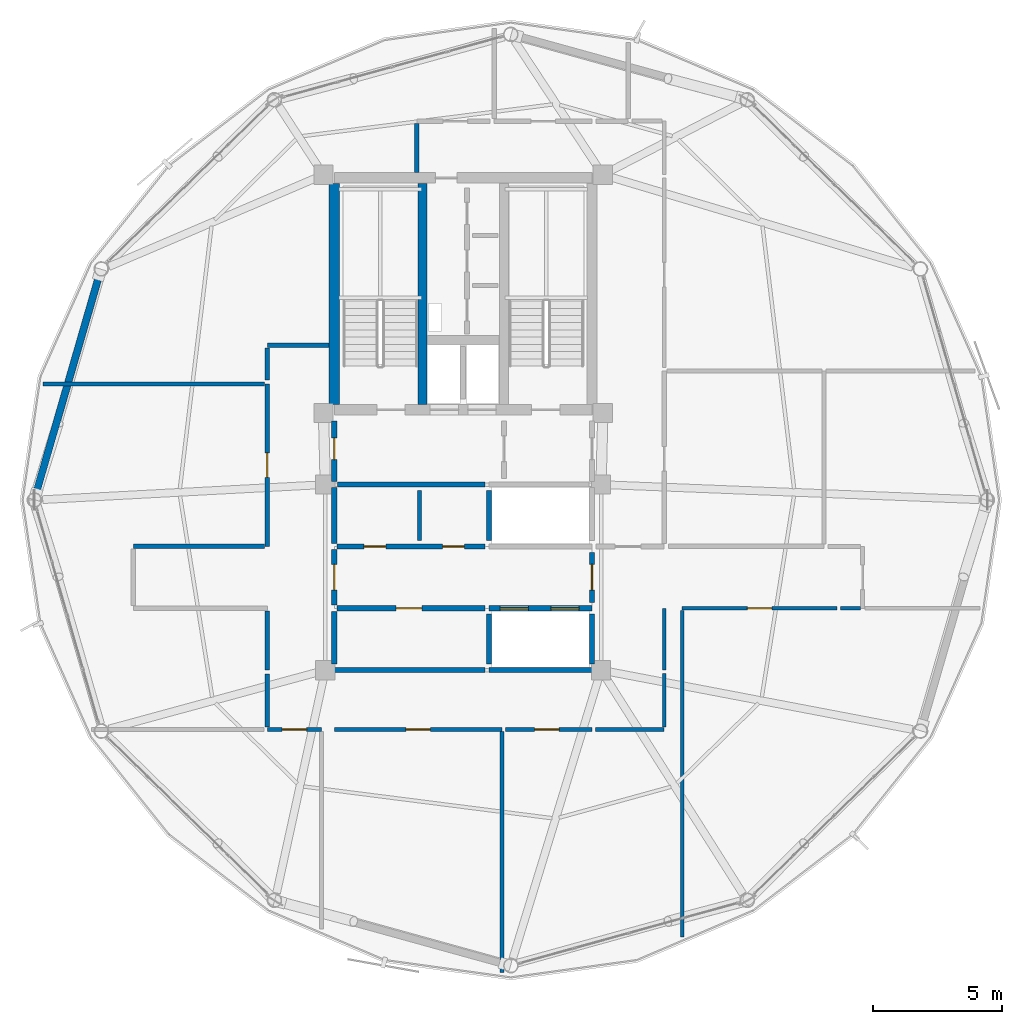
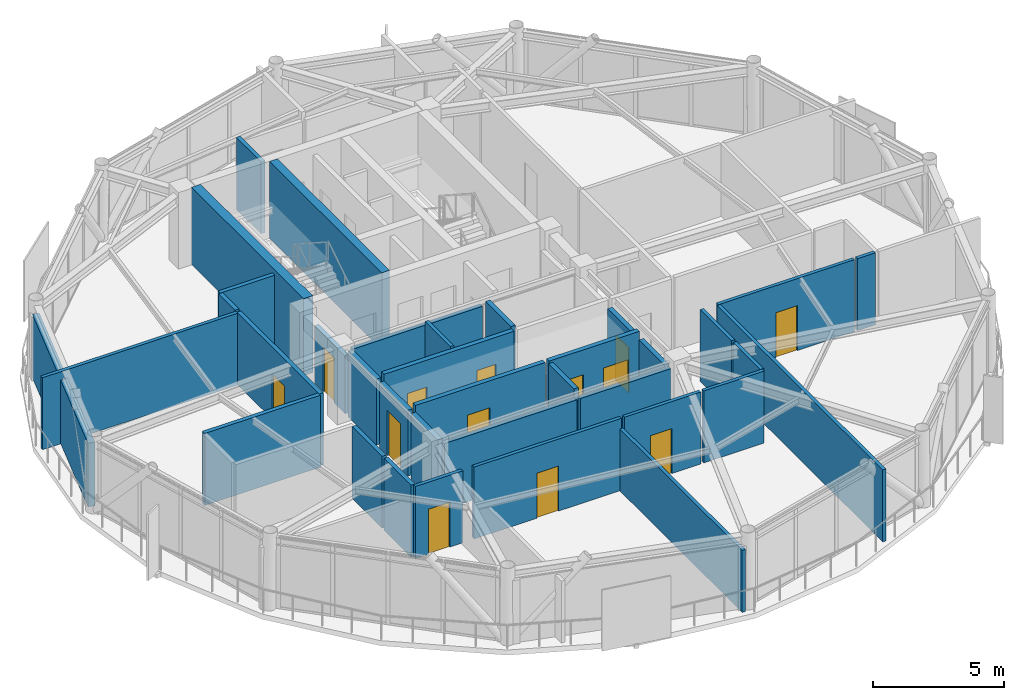
# One storey, part 22 of 27: 36 walls, 13 doors, 13 openings.
"""IFC4 building model written with IfcOpenShell, lengths in metres."""

from ifc_helpers import new_model, si_unit, direction, frame, frame_2d, origin, place, context, subcontext, project, spatial, rectangle, extrude, material, layer, layer_set, type_object, element, fill, save


model = new_model("IFC4")

# Units and contexts
model_context = context("Model", 3, precision=1e-05, world=origin(), true_north=direction((0.0, 1.0)))
body_context = subcontext(model_context, "Body", "Model", "MODEL_VIEW")
ifc_project = project(units=[si_unit("LENGTHUNIT", "METRE"), si_unit("AREAUNIT", "SQUARE_METRE"), si_unit("VOLUMEUNIT", "CUBIC_METRE"), si_unit("PLANEANGLEUNIT", "RADIAN"), si_unit("MASSUNIT", "GRAM", prefix="KILO")], contexts=[model_context])

# Site, building, storey
site_placement = place(None, origin())
site = spatial("IfcSite", under=ifc_project, at=site_placement, CompositionType="ELEMENT")
building_placement = place(site_placement, origin())
building = spatial("IfcBuilding", under=site, at=building_placement, Name="Varnakorn Sky Granary", CompositionType="ELEMENT")
storey_placement = place(building_placement, frame((0.0, 0.0, 249.0)))
storey = spatial("IfcBuildingStorey", under=building, at=storey_placement, Name="L63", CompositionType="ELEMENT", Elevation=249.0)

# Walls
ifc_material_1 = material(Name="Concrete C50/60", Category="concrete")
ifc_layer_1 = layer(ifc_material_1, 0.35009765625, Name="Concrete C50/60")
ifc_layer_set_1 = layer_set([ifc_layer_1], Name="Concrete C50/60")
wall_type_1 = type_object("IfcWallType", Name="WT-CW-INT-350", PredefinedType="SHEAR", material=ifc_layer_set_1)
wall_1_placement = place(storey_placement, frame((1.419921875, 3.7099609375, 0.0), z_axis=(0.0, 0.0, 1.0), x_axis=(0.0, 1.0, 0.0)))
element("IfcWall", 1, at=wall_1_placement, inside=storey, type_object=wall_type_1, Name="Stair ST-1 Core Wall L63", PredefinedType="SHEAR", context=body_context, shape_type="SweptSolid", body=[
    extrude(rectangle(XDim=8.580078125, YDim=0.35009765625, at=frame_2d((4.2900390625, 0.0))), origin(), (0.0, 0.0, 1.0), 3.592041015625),
])
ifc_layer_2 = layer(ifc_material_1, 0.39990234375, Name="Concrete C50/60")
ifc_layer_set_2 = layer_set([ifc_layer_2], Name="Concrete C50/60")
wall_type_2 = type_object("IfcWallType", Name="WT-CW-SHEAR-400", PredefinedType="SHEAR", material=ifc_layer_set_2)
wall_2_placement = place(storey_placement, frame((-2.0, 3.7099609375, 0.0), z_axis=(0.0, 0.0, 1.0), x_axis=(0.0, 1.0, 0.0)))
element("IfcWall", 2, at=wall_2_placement, inside=storey, type_object=wall_type_2, Name="Core West Shear Wall L63", PredefinedType="SHEAR", context=body_context, shape_type="SweptSolid", body=[
    extrude(rectangle(XDim=8.580078125, YDim=0.39990234375, at=frame_2d((4.2900390625, 0.0))), origin(), (0.0, 0.0, 1.0), 3.592041015625),
])
ifc_material_2 = material(Name="Precast concrete C40/50", Category="concrete")
ifc_layer_3 = layer(ifc_material_2, 0.280029296875, Name="Precast concrete C40/50")
ifc_layer_set_3 = layer_set([ifc_layer_3], Name="Precast concrete C40/50")
wall_type_3 = type_object("IfcWallType", Name="WT-EW-CRN-280", PredefinedType="SOLIDWALL", material=ifc_layer_set_3)
wall_3_placement = place(storey_placement, frame((-13.579833984375, 0.225341796875, 0.0), z_axis=(0.0, 0.0, 1.0), x_axis=(0.277904986199, 0.960608566819, 0.0)))
element("IfcWall", 3, at=wall_3_placement, inside=storey, type_object=wall_type_3, Name="Agritech Insulated Precast Facade Wall L63-P06", PredefinedType="SOLIDWALL", context=body_context, shape_type="SweptSolid", body=[
    extrude(rectangle(XDim=8.86767578125, YDim=0.280029296875, at=frame_2d((4.433837890625, 0.0))), origin(), (0.0, 0.0, 1.0), 2.969970703125),
])

# Wall, opening, door
ifc_material_3 = material(Name="Autoclaved Aerated Concrete Blockwork", Category="masonry")
ifc_layer_4 = layer(ifc_material_3, 0.199951171875, Name="Autoclaved Aerated Concrete Blockwork")
ifc_layer_set_4 = layer_set([ifc_layer_4], Name="Autoclaved Aerated Concrete Blockwork")
wall_type_4 = type_object("IfcWallType", Name="WT-FIRE-200", PredefinedType="MOVABLE", material=ifc_layer_set_4)
wall_4_placement = place(storey_placement, frame((-2.0, 0.719970703125, 0.0), z_axis=(0.0, 0.0, 1.0), x_axis=(0.0, 1.0, 0.0)))
wall_4 = element("IfcWall", 4, at=wall_4_placement, inside=storey, type_object=wall_type_4, Name="Interior Partition Wall L63-012", PredefinedType="MOVABLE", context=body_context, shape_type="SweptSolid", body=[
    extrude(rectangle(XDim=2.35009765625, YDim=0.199951171875, at=frame_2d((1.175048828125, 0.0))), origin(), (0.0, 0.0, 1.0), 2.69189453125),
])
opening_1_placement = place(wall_4_placement, frame((0.844970703125, 0.0, 0.0)))
opening_1 = element("IfcOpeningElement", 5, at=opening_1_placement, cuts=wall_4, Name="Opening FD-60N", PredefinedType="OPENING", context=body_context, shape_type="SweptSolid", body=[
    extrude(rectangle(XDim=0.85009765625, YDim=2.10009765625, at=frame_2d((0.425048828125, 1.050048828125))), frame((0.0, 0.10986328125, 0.0), z_axis=(0.0, -1.0, 0.0), x_axis=(1.0, 0.0, 0.0)), (0.0, 0.0, 1.0), 0.219970703125),
])
ifc_material_4 = material(Name="Acoustic Timber Fire Leaf", Category="wood")
door_type_1 = type_object("IfcDoorType", Name="DR-FD60-850", OperationType="NOTDEFINED", PredefinedType="DOOR", material=ifc_material_4)
door_1_placement = place(opening_1_placement, origin())
door_1 = element("IfcDoor", 6, at=door_1_placement, inside=storey, type_object=door_type_1, Name="Interior Door L63-012-1", OperationType="SINGLE_SWING_RIGHT", OverallHeight=2.10009765625, OverallWidth=0.85009765625, PredefinedType="DOOR", context=body_context, shape_type="SweptSolid", body=[
    extrude(rectangle(XDim=0.85009765625, YDim=2.10009765625, at=frame_2d((0.425048828125, 1.050048828125))), frame((0.0, 0.02490234375, 0.0), z_axis=(0.0, -1.0, 0.0), x_axis=(1.0, 0.0, 0.0)), (0.0, 0.0, 1.0), 0.050048828125),
])
fill(opening_1, door_1)

wall_5_placement = place(storey_placement, frame((-2.0, -4.080078125, 0.0), z_axis=(0.0, 0.0, 1.0), x_axis=(0.0, 1.0, 0.0)))
wall_5 = element("IfcWall", 7, at=wall_5_placement, inside=storey, type_object=wall_type_4, Name="Interior Partition Wall L63-014", PredefinedType="MOVABLE", context=body_context, shape_type="SweptSolid", body=[
    extrude(rectangle(XDim=2.16015625, YDim=0.199951171875, at=frame_2d((1.080078125, 0.0))), origin(), (0.0, 0.0, 1.0), 3.072021484375),
])
opening_2_placement = place(wall_5_placement, frame((0.580078125, 0.0, 0.0)))
opening_2 = element("IfcOpeningElement", 8, at=opening_2_placement, cuts=wall_5, Name="Opening FD-60", PredefinedType="OPENING", context=body_context, shape_type="SweptSolid", body=[
    extrude(rectangle(XDim=1.0, YDim=2.10009765625, at=frame_2d((0.5, 1.050048828125))), frame((0.0, 0.10986328125, 0.0), z_axis=(0.0, -1.0, 0.0), x_axis=(1.0, 0.0, 0.0)), (0.0, 0.0, 1.0), 0.219970703125),
])
door_type_2 = type_object("IfcDoorType", Name="DR-FD60-1000", OperationType="NOTDEFINED", PredefinedType="DOOR", material=ifc_material_4)
door_2_placement = place(opening_2_placement, origin())
door_2 = element("IfcDoor", 9, at=door_2_placement, inside=storey, type_object=door_type_2, Name="Interior Door L63-014-1", OperationType="SINGLE_SWING_RIGHT", OverallHeight=2.10009765625, OverallWidth=1.0, PredefinedType="DOOR", context=body_context, shape_type="SweptSolid", body=[
    extrude(rectangle(XDim=1.0, YDim=2.10009765625, at=frame_2d((0.5, 1.050048828125))), frame((0.0, 0.02490234375, 0.0), z_axis=(0.0, -1.0, 0.0), x_axis=(1.0, 0.0, 0.0)), (0.0, 0.0, 1.0), 0.050048828125),
])
fill(opening_2, door_2)

wall_6_placement = place(storey_placement, frame((8.0, -3.969970703125, 0.0), z_axis=(0.0, 0.0, 1.0), x_axis=(0.0, 1.0, 0.0)))
wall_6 = element("IfcWall", 10, at=wall_6_placement, inside=storey, type_object=wall_type_4, Name="Interior Partition Wall L63-015", PredefinedType="MOVABLE", context=body_context, shape_type="SweptSolid", body=[
    extrude(rectangle(XDim=1.93994140625, YDim=0.199951171875, at=frame_2d((0.969970703125, 0.0))), origin(), (0.0, 0.0, 1.0), 3.072021484375),
])
opening_3_placement = place(wall_6_placement, frame((0.469970703125, 0.0, 0.0)))
opening_3 = element("IfcOpeningElement", 11, at=opening_3_placement, cuts=wall_6, Name="Opening FD-60", PredefinedType="OPENING", context=body_context, shape_type="SweptSolid", body=[
    extrude(rectangle(XDim=1.0, YDim=2.10009765625, at=frame_2d((0.5, 1.050048828125))), frame((0.0, 0.10986328125, 0.0), z_axis=(0.0, -1.0, 0.0), x_axis=(1.0, 0.0, 0.0)), (0.0, 0.0, 1.0), 0.219970703125),
])
door_3_placement = place(opening_3_placement, origin())
door_3 = element("IfcDoor", 12, at=door_3_placement, inside=storey, type_object=door_type_2, Name="Interior Door L63-015-1", OperationType="SINGLE_SWING_LEFT", OverallHeight=2.10009765625, OverallWidth=1.0, PredefinedType="DOOR", context=body_context, shape_type="SweptSolid", body=[
    extrude(rectangle(XDim=1.0, YDim=2.10009765625, at=frame_2d((0.5, 1.050048828125))), frame((0.0, 0.02490234375, 0.0), z_axis=(0.0, -1.0, 0.0), x_axis=(1.0, 0.0, 0.0)), (0.0, 0.0, 1.0), 0.050048828125),
])
fill(opening_3, door_3)

# Wall, openings, doors
wall_7_placement = place(storey_placement, frame((-1.889892578125, -1.800048828125, 0.0), z_axis=(0.0, 0.0, 1.0), x_axis=(1.0, 0.0, 0.0)))
wall_7 = element("IfcWall", 13, at=wall_7_placement, inside=storey, type_object=wall_type_4, Name="Interior Partition Wall L63-016", PredefinedType="MOVABLE", context=body_context, shape_type="SweptSolid", body=[
    extrude(rectangle(XDim=5.72998046875, YDim=0.199951171875, at=frame_2d((2.864990234375, 0.0))), origin(), (0.0, 0.0, 1.0), 3.360107421875),
])
opening_4_placement = place(wall_7_placement, frame((1.0400390625, 0.0, 0.0)))
opening_4 = element("IfcOpeningElement", 14, at=opening_4_placement, cuts=wall_7, Name="Opening FD-60N", PredefinedType="OPENING", context=body_context, shape_type="SweptSolid", body=[
    extrude(rectangle(XDim=0.85009765625, YDim=2.10009765625, at=frame_2d((0.425048828125, 1.050048828125))), frame((0.0, 0.10986328125, 0.0), z_axis=(0.0, -1.0, 0.0), x_axis=(1.0, 0.0, 0.0)), (0.0, 0.0, 1.0), 0.219970703125),
])
opening_5_placement = place(wall_7_placement, frame((4.090087890625, 0.0, 0.0)))
opening_5 = element("IfcOpeningElement", 15, at=opening_5_placement, cuts=wall_7, Name="Opening FD-60N", PredefinedType="OPENING", context=body_context, shape_type="SweptSolid", body=[
    extrude(rectangle(XDim=0.85009765625, YDim=2.10009765625, at=frame_2d((0.425048828125, 1.050048828125))), frame((0.0, 0.10986328125, 0.0), z_axis=(0.0, -1.0, 0.0), x_axis=(1.0, 0.0, 0.0)), (0.0, 0.0, 1.0), 0.219970703125),
])
door_4_placement = place(opening_4_placement, origin())
door_4 = element("IfcDoor", 16, at=door_4_placement, inside=storey, type_object=door_type_1, Name="Interior Door L63-016-1", OperationType="SINGLE_SWING_RIGHT", OverallHeight=2.10009765625, OverallWidth=0.85009765625, PredefinedType="DOOR", context=body_context, shape_type="SweptSolid", body=[
    extrude(rectangle(XDim=0.85009765625, YDim=2.10009765625, at=frame_2d((0.425048828125, 1.050048828125))), frame((0.0, 0.02490234375, 0.0), z_axis=(0.0, -1.0, 0.0), x_axis=(1.0, 0.0, 0.0)), (0.0, 0.0, 1.0), 0.050048828125),
])
fill(opening_4, door_4)
door_5_placement = place(opening_5_placement, origin())
door_5 = element("IfcDoor", 17, at=door_5_placement, inside=storey, type_object=door_type_1, Name="Interior Door L63-016-2", OperationType="SINGLE_SWING_LEFT", OverallHeight=2.10009765625, OverallWidth=0.85009765625, PredefinedType="DOOR", context=body_context, shape_type="SweptSolid", body=[
    extrude(rectangle(XDim=0.85009765625, YDim=2.10009765625, at=frame_2d((0.425048828125, 1.050048828125))), frame((0.0, 0.02490234375, 0.0), z_axis=(0.0, -1.0, 0.0), x_axis=(1.0, 0.0, 0.0)), (0.0, 0.0, 1.0), 0.050048828125),
])
fill(opening_5, door_5)

# Wall, opening, door
wall_8_placement = place(storey_placement, frame((-1.889892578125, -4.199951171875, 0.0), z_axis=(0.0, 0.0, 1.0), x_axis=(1.0, 0.0, 0.0)))
wall_8 = element("IfcWall", 18, at=wall_8_placement, inside=storey, type_object=wall_type_4, Name="Interior Partition Wall L63-017", PredefinedType="MOVABLE", context=body_context, shape_type="SweptSolid", body=[
    extrude(rectangle(XDim=5.72998046875, YDim=0.199951171875, at=frame_2d((2.864990234375, 0.0))), origin(), (0.0, 0.0, 1.0), 3.360107421875),
])
opening_6_placement = place(wall_8_placement, frame((2.2900390625, 0.0, 0.0)))
opening_6 = element("IfcOpeningElement", 19, at=opening_6_placement, cuts=wall_8, Name="Opening FD-60", PredefinedType="OPENING", context=body_context, shape_type="SweptSolid", body=[
    extrude(rectangle(XDim=1.0, YDim=2.10009765625, at=frame_2d((0.5, 1.050048828125))), frame((0.0, 0.10986328125, 0.0), z_axis=(0.0, -1.0, 0.0), x_axis=(1.0, 0.0, 0.0)), (0.0, 0.0, 1.0), 0.219970703125),
])
door_6_placement = place(opening_6_placement, origin())
door_6 = element("IfcDoor", 20, at=door_6_placement, inside=storey, type_object=door_type_2, Name="Interior Door L63-017-1", OperationType="SINGLE_SWING_RIGHT", OverallHeight=2.10009765625, OverallWidth=1.0, PredefinedType="DOOR", context=body_context, shape_type="SweptSolid", body=[
    extrude(rectangle(XDim=1.0, YDim=2.10009765625, at=frame_2d((0.5, 1.050048828125))), frame((0.0, 0.02490234375, 0.0), z_axis=(0.0, -1.0, 0.0), x_axis=(1.0, 0.0, 0.0)), (0.0, 0.0, 1.0), 0.050048828125),
])
fill(opening_6, door_6)

# Walls
wall_9_placement = place(storey_placement, frame((-1.8798828125, 0.60009765625, 0.0), z_axis=(0.0, 0.0, 1.0), x_axis=(1.0, 0.0, 0.0)))
element("IfcWall", 21, at=wall_9_placement, inside=storey, type_object=wall_type_4, Name="Interior Partition Wall L63-031", PredefinedType="MOVABLE", context=body_context, shape_type="SweptSolid", body=[
    extrude(rectangle(XDim=5.719970703125, YDim=0.199951171875, at=frame_2d((2.85986328125, 0.0))), origin(), (0.0, 0.0, 1.0), 3.072021484375),
])
wall_10_placement = place(storey_placement, frame((-2.0, -1.679931640625, 0.0), z_axis=(0.0, 0.0, 1.0), x_axis=(0.0, 1.0, 0.0)))
element("IfcWall", 22, at=wall_10_placement, inside=storey, type_object=wall_type_4, Name="Interior Partition Wall L63-033", PredefinedType="MOVABLE", context=body_context, shape_type="SweptSolid", body=[
    extrude(rectangle(XDim=2.159912109375, YDim=0.199951171875, at=frame_2d((1.080078125, 0.0))), origin(), (0.0, 0.0, 1.0), 3.072021484375),
])
wall_11_placement = place(storey_placement, frame((-2.0, -6.60009765625, 0.0), z_axis=(0.0, 0.0, 1.0), x_axis=(1.0, 0.0, 0.0)))
element("IfcWall", 23, at=wall_11_placement, inside=storey, type_object=wall_type_4, Name="Interior Partition Wall L63-034", PredefinedType="MOVABLE", context=body_context, shape_type="SweptSolid", body=[
    extrude(rectangle(XDim=5.840087890625, YDim=0.199951171875, at=frame_2d((2.919921875, 0.0))), origin(), (0.0, 0.0, 1.0), 3.072021484375),
])
wall_12_placement = place(storey_placement, frame((-2.0, -6.3701171875, 0.0), z_axis=(0.0, 0.0, 1.0), x_axis=(0.0, 1.0, 0.0)))
element("IfcWall", 24, at=wall_12_placement, inside=storey, type_object=wall_type_4, Name="Interior Partition Wall L63-035", PredefinedType="MOVABLE", context=body_context, shape_type="SweptSolid", body=[
    extrude(rectangle(XDim=2.050048828125, YDim=0.199951171875, at=frame_2d((1.02490234375, 0.0))), origin(), (0.0, 0.0, 1.0), 3.072021484375),
])

# Wall, opening, door
ifc_material_5 = material(Name="Gypsum Plasterboard on Steel Stud", Category="steel")
ifc_layer_5 = layer(ifc_material_5, 0.14990234375, Name="Gypsum Plasterboard on Steel Stud")
ifc_layer_set_5 = layer_set([ifc_layer_5], Name="Gypsum Plasterboard on Steel Stud")
wall_type_5 = type_object("IfcWallType", Name="WT-PART-150", PredefinedType="PARTITIONING", material=ifc_layer_set_5)
wall_13_placement = place(storey_placement, frame((-4.60009765625, -8.89990234375, 0.0), z_axis=(0.0, 0.0, 1.0), x_axis=(1.0, 0.0, 0.0)))
wall_13 = element("IfcWall", 25, at=wall_13_placement, inside=storey, type_object=wall_type_5, Name="Interior Partition Wall L63-020", PredefinedType="PARTITIONING", context=body_context, shape_type="SweptSolid", body=[
    extrude(rectangle(XDim=2.10009765625, YDim=0.14990234375, at=frame_2d((1.050048828125, 0.0))), origin(), (0.0, 0.0, 1.0), 3.360107421875),
])
opening_7_placement = place(wall_13_placement, frame((0.574951171875, 0.0, 0.0)))
opening_7 = element("IfcOpeningElement", 26, at=opening_7_placement, cuts=wall_13, Name="Opening ID-95", PredefinedType="OPENING", context=body_context, shape_type="SweptSolid", body=[
    extrude(rectangle(XDim=0.949951171875, YDim=2.10009765625, at=frame_2d((0.47509765625, 1.050048828125))), frame((0.0, 0.0849609375, 0.0), z_axis=(0.0, -1.0, 0.0), x_axis=(1.0, 0.0, 0.0)), (0.0, 0.0, 1.0), 0.169921875),
])
ifc_material_6 = material(Name="Solid-Core Teak Veneer Leaf", Category="timber")
door_type_3 = type_object("IfcDoorType", Name="DR-INT-950", OperationType="NOTDEFINED", PredefinedType="DOOR", material=ifc_material_6)
door_7_placement = place(opening_7_placement, origin())
door_7 = element("IfcDoor", 27, at=door_7_placement, inside=storey, type_object=door_type_3, Name="Interior Door L63-020-1", OperationType="SINGLE_SWING_LEFT", OverallHeight=2.10009765625, OverallWidth=0.949951171875, PredefinedType="DOOR", context=body_context, shape_type="SweptSolid", body=[
    extrude(rectangle(XDim=0.949951171875, YDim=2.10009765625, at=frame_2d((0.47509765625, 1.050048828125))), frame((0.0, 0.02490234375, 0.0), z_axis=(0.0, -1.0, 0.0), x_axis=(1.0, 0.0, 0.0)), (0.0, 0.0, 1.0), 0.050048828125),
])
fill(opening_7, door_7)

wall_14_placement = place(storey_placement, frame((-2.0, -8.89990234375, 0.0), z_axis=(0.0, 0.0, 1.0), x_axis=(1.0, 0.0, 0.0)))
wall_14 = element("IfcWall", 28, at=wall_14_placement, inside=storey, type_object=wall_type_5, Name="Interior Partition Wall L63-021", PredefinedType="PARTITIONING", context=body_context, shape_type="SweptSolid", body=[
    extrude(rectangle(XDim=6.5, YDim=0.14990234375, at=frame_2d((3.25, 0.0))), origin(), (0.0, 0.0, 1.0), 3.360107421875),
])
opening_8_placement = place(wall_14_placement, frame((2.77490234375, 0.0, 0.0)))
opening_8 = element("IfcOpeningElement", 29, at=opening_8_placement, cuts=wall_14, Name="Opening ID-95", PredefinedType="OPENING", context=body_context, shape_type="SweptSolid", body=[
    extrude(rectangle(XDim=0.949951171875, YDim=2.10009765625, at=frame_2d((0.47509765625, 1.050048828125))), frame((0.0, 0.0849609375, 0.0), z_axis=(0.0, -1.0, 0.0), x_axis=(1.0, 0.0, 0.0)), (0.0, 0.0, 1.0), 0.169921875),
])
door_8_placement = place(opening_8_placement, origin())
door_8 = element("IfcDoor", 30, at=door_8_placement, inside=storey, type_object=door_type_3, Name="Interior Door L63-021-1", OperationType="SINGLE_SWING_RIGHT", OverallHeight=2.10009765625, OverallWidth=0.949951171875, PredefinedType="DOOR", context=body_context, shape_type="SweptSolid", body=[
    extrude(rectangle(XDim=0.949951171875, YDim=2.10009765625, at=frame_2d((0.47509765625, 1.050048828125))), frame((0.0, 0.02490234375, 0.0), z_axis=(0.0, -1.0, 0.0), x_axis=(1.0, 0.0, 0.0)), (0.0, 0.0, 1.0), 0.050048828125),
])
fill(opening_8, door_8)

wall_15_placement = place(storey_placement, frame((4.635009765625, -8.89990234375, 0.0), z_axis=(0.0, 0.0, 1.0), x_axis=(1.0, 0.0, 0.0)))
wall_15 = element("IfcWall", 31, at=wall_15_placement, inside=storey, type_object=wall_type_5, Name="Interior Partition Wall L63-022", PredefinedType="PARTITIONING", context=body_context, shape_type="SweptSolid", body=[
    extrude(rectangle(XDim=3.364990234375, YDim=0.14990234375, at=frame_2d((1.6826171875, 0.0))), origin(), (0.0, 0.0, 1.0), 3.360107421875),
])
opening_9_placement = place(wall_15_placement, frame((1.139892578125, 0.0, 0.0)))
opening_9 = element("IfcOpeningElement", 32, at=opening_9_placement, cuts=wall_15, Name="Opening ID-95", PredefinedType="OPENING", context=body_context, shape_type="SweptSolid", body=[
    extrude(rectangle(XDim=0.949951171875, YDim=2.10009765625, at=frame_2d((0.47509765625, 1.050048828125))), frame((0.0, 0.0849609375, 0.0), z_axis=(0.0, -1.0, 0.0), x_axis=(1.0, 0.0, 0.0)), (0.0, 0.0, 1.0), 0.169921875),
])
door_9_placement = place(opening_9_placement, origin())
door_9 = element("IfcDoor", 33, at=door_9_placement, inside=storey, type_object=door_type_3, Name="Interior Door L63-022-1", OperationType="SINGLE_SWING_LEFT", OverallHeight=2.10009765625, OverallWidth=0.949951171875, PredefinedType="DOOR", context=body_context, shape_type="SweptSolid", body=[
    extrude(rectangle(XDim=0.949951171875, YDim=2.10009765625, at=frame_2d((0.47509765625, 1.050048828125))), frame((0.0, 0.02490234375, 0.0), z_axis=(0.0, -1.0, 0.0), x_axis=(1.0, 0.0, 0.0)), (0.0, 0.0, 1.0), 0.050048828125),
])
fill(opening_9, door_9)

wall_16_placement = place(storey_placement, frame((11.5, -4.199951171875, 0.0), z_axis=(0.0, 0.0, 1.0), x_axis=(1.0, 0.0, 0.0)))
wall_16 = element("IfcWall", 34, at=wall_16_placement, inside=storey, type_object=wall_type_5, Name="Interior Partition Wall L63-023", PredefinedType="PARTITIONING", context=body_context, shape_type="SweptSolid", body=[
    extrude(rectangle(XDim=6.0, YDim=0.14990234375, at=frame_2d((3.0, 0.0))), origin(), (0.0, 0.0, 1.0), 3.360107421875),
])
opening_10_placement = place(wall_16_placement, frame((2.52490234375, 0.0, 0.0)))
opening_10 = element("IfcOpeningElement", 35, at=opening_10_placement, cuts=wall_16, Name="Opening ID-95", PredefinedType="OPENING", context=body_context, shape_type="SweptSolid", body=[
    extrude(rectangle(XDim=0.949951171875, YDim=2.10009765625, at=frame_2d((0.47509765625, 1.050048828125))), frame((0.0, 0.0849609375, 0.0), z_axis=(0.0, -1.0, 0.0), x_axis=(1.0, 0.0, 0.0)), (0.0, 0.0, 1.0), 0.169921875),
])
door_10_placement = place(opening_10_placement, origin())
door_10 = element("IfcDoor", 36, at=door_10_placement, inside=storey, type_object=door_type_3, Name="Interior Door L63-023-1", OperationType="SINGLE_SWING_RIGHT", OverallHeight=2.10009765625, OverallWidth=0.949951171875, PredefinedType="DOOR", context=body_context, shape_type="SweptSolid", body=[
    extrude(rectangle(XDim=0.949951171875, YDim=2.10009765625, at=frame_2d((0.47509765625, 1.050048828125))), frame((0.0, 0.02490234375, 0.0), z_axis=(0.0, -1.0, 0.0), x_axis=(1.0, 0.0, 0.0)), (0.0, 0.0, 1.0), 0.050048828125),
])
fill(opening_10, door_10)

# Walls
wall_17_placement = place(storey_placement, frame((1.300048828125, -1.570068359375, 0.0), z_axis=(0.0, 0.0, 1.0), x_axis=(0.0, 1.0, 0.0)))
element("IfcWall", 37, at=wall_17_placement, inside=storey, type_object=wall_type_5, Name="Interior Partition Wall L63-032", PredefinedType="PARTITIONING", context=body_context, shape_type="SweptSolid", body=[
    extrude(rectangle(XDim=1.940185546875, YDim=0.14990234375, at=frame_2d((0.97021484375, 0.0))), origin(), (0.0, 0.0, 1.0), 3.360107421875),
])
wall_18_placement = place(storey_placement, frame((4.5, -8.985107421875, 0.0), z_axis=(0.0, 0.0, 1.0), x_axis=(0.0, -1.0, 0.0)))
element("IfcWall", 38, at=wall_18_placement, inside=storey, type_object=wall_type_5, Name="Interior Partition Wall L63-039", PredefinedType="PARTITIONING", context=body_context, shape_type="SweptSolid", body=[
    extrude(rectangle(XDim=9.349853515625, YDim=0.14990234375, at=frame_2d((4.6748046875, 0.0))), origin(), (0.0, 0.0, 1.0), 2.89208984375),
])
wall_19_placement = place(storey_placement, frame((8.135009765625, -8.89990234375, 0.0), z_axis=(0.0, 0.0, 1.0), x_axis=(1.0, 0.0, 0.0)))
element("IfcWall", 39, at=wall_19_placement, inside=storey, type_object=wall_type_5, Name="Interior Partition Wall L63-040", PredefinedType="PARTITIONING", context=body_context, shape_type="SweptSolid", body=[
    extrude(rectangle(XDim=2.6650390625, YDim=0.14990234375, at=frame_2d((1.33251953125, 0.0))), origin(), (0.0, 0.0, 1.0), 3.360107421875),
])
wall_20_placement = place(storey_placement, frame((10.800048828125, -6.60009765625, 0.0), z_axis=(0.0, 0.0, 1.0), x_axis=(0.0, 1.0, 0.0)))
element("IfcWall", 40, at=wall_20_placement, inside=storey, type_object=wall_type_5, Name="Interior Partition Wall L63-041", PredefinedType="PARTITIONING", context=body_context, shape_type="SweptSolid", body=[
    extrude(rectangle(XDim=2.400146484375, YDim=0.14990234375, at=frame_2d((1.2001953125, 0.0))), origin(), (0.0, 0.0, 1.0), 3.360107421875),
])
wall_21_placement = place(storey_placement, frame((10.800048828125, -8.81494140625, 0.0), z_axis=(0.0, 0.0, 1.0), x_axis=(0.0, 1.0, 0.0)))
element("IfcWall", 41, at=wall_21_placement, inside=storey, type_object=wall_type_5, Name="Interior Partition Wall L63-042", PredefinedType="PARTITIONING", context=body_context, shape_type="SweptSolid", body=[
    extrude(rectangle(XDim=2.079833984375, YDim=0.14990234375, at=frame_2d((1.0400390625, 0.0))), origin(), (0.0, 0.0, 1.0), 3.360107421875),
])
wall_22_placement = place(storey_placement, frame((11.5, -4.284912109375, 0.0), z_axis=(0.0, 0.0, 1.0), x_axis=(0.0, -1.0, 0.0)))
element("IfcWall", 42, at=wall_22_placement, inside=storey, type_object=wall_type_5, Name="Interior Partition Wall L63-043", PredefinedType="PARTITIONING", context=body_context, shape_type="SweptSolid", body=[
    extrude(rectangle(XDim=12.6630859375, YDim=0.14990234375, at=frame_2d((6.33154296875, 0.0))), origin(), (0.0, 0.0, 1.0), 3.360107421875),
])
wall_23_placement = place(storey_placement, frame((17.635009765625, -4.199951171875, 0.0), z_axis=(0.0, 0.0, 1.0), x_axis=(1.0, 0.0, 0.0)))
element("IfcWall", 43, at=wall_23_placement, inside=storey, type_object=wall_type_5, Name="Interior Partition Wall L63-044", PredefinedType="PARTITIONING", context=body_context, shape_type="SweptSolid", body=[
    extrude(rectangle(XDim=0.780029296875, YDim=0.14990234375, at=frame_2d((0.39013671875, 0.0))), origin(), (0.0, 0.0, 1.0), 3.360107421875),
])
wall_24_placement = place(storey_placement, frame((-13.305908203125, 4.5, 0.0), z_axis=(0.0, 0.0, 1.0), x_axis=(1.0, 0.0, 0.0)))
element("IfcWall", 44, at=wall_24_placement, inside=storey, type_object=wall_type_5, Name="Interior Partition Wall L63-051", PredefinedType="PARTITIONING", context=body_context, shape_type="SweptSolid", body=[
    extrude(rectangle(XDim=8.60595703125, YDim=0.14990234375, at=frame_2d((4.302978515625, 0.0))), origin(), (0.0, 0.0, 1.0), 3.360107421875),
])

# Wall, opening, door
ifc_material_7 = material(Name="Moisture-Resistant Gypsum on Stud", Category="gypsum")
ifc_layer_6 = layer(ifc_material_7, 0.179931640625, Name="Moisture-Resistant Gypsum on Stud")
ifc_layer_set_6 = layer_set([ifc_layer_6], Name="Moisture-Resistant Gypsum on Stud")
wall_type_6 = type_object("IfcWallType", Name="WT-PLUMB-180", PredefinedType="PLUMBINGWALL", material=ifc_layer_set_6)
wall_25_placement = place(storey_placement, frame((-4.60009765625, 4.5, 0.0), z_axis=(0.0, 0.0, 1.0), x_axis=(0.0, -1.0, 0.0)))
wall_25 = element("IfcWall", 45, at=wall_25_placement, inside=storey, type_object=wall_type_6, Name="Interior Partition Wall L63-024", PredefinedType="PLUMBINGWALL", context=body_context, shape_type="SweptSolid", body=[
    extrude(rectangle(XDim=6.300048828125, YDim=0.179931640625, at=frame_2d((3.14990234375, 0.0))), origin(), (0.0, 0.0, 1.0), 3.360107421875),
])
opening_11_placement = place(wall_25_placement, frame((2.675048828125, 0.0, 0.0)))
opening_11 = element("IfcOpeningElement", 46, at=opening_11_placement, cuts=wall_25, Name="Opening ID-95", PredefinedType="OPENING", context=body_context, shape_type="SweptSolid", body=[
    extrude(rectangle(XDim=0.949951171875, YDim=2.10009765625, at=frame_2d((0.47509765625, 1.050048828125))), frame((0.0, 0.10009765625, 0.0), z_axis=(0.0, -1.0, 0.0), x_axis=(1.0, 0.0, 0.0)), (0.0, 0.0, 1.0), 0.199951171875),
])
door_11_placement = place(opening_11_placement, origin())
door_11 = element("IfcDoor", 47, at=door_11_placement, inside=storey, type_object=door_type_3, Name="Interior Door L63-024-1", OperationType="SINGLE_SWING_LEFT", OverallHeight=2.10009765625, OverallWidth=0.949951171875, PredefinedType="DOOR", context=body_context, shape_type="SweptSolid", body=[
    extrude(rectangle(XDim=0.949951171875, YDim=2.10009765625, at=frame_2d((0.47509765625, 1.050048828125))), frame((0.0, 0.02490234375, 0.0), z_axis=(0.0, -1.0, 0.0), x_axis=(1.0, 0.0, 0.0)), (0.0, 0.0, 1.0), 0.050048828125),
])
fill(opening_11, door_11)

# Walls
wall_26_placement = place(storey_placement, frame((-4.699951171875, -1.800048828125, 0.0), z_axis=(0.0, 0.0, 1.0), x_axis=(-1.0, 0.0, 0.0)))
element("IfcWall", 48, at=wall_26_placement, inside=storey, type_object=wall_type_6, Name="Interior Partition Wall L63-046", PredefinedType="PLUMBINGWALL", context=body_context, shape_type="SweptSolid", body=[
    extrude(rectangle(XDim=5.10009765625, YDim=0.179931640625, at=frame_2d((2.550048828125, 0.0))), origin(), (0.0, 0.0, 1.0), 3.360107421875),
])
wall_27_placement = place(storey_placement, frame((-4.60009765625, -4.300048828125, 0.0), z_axis=(0.0, 0.0, 1.0), x_axis=(0.0, -1.0, 0.0)))
element("IfcWall", 49, at=wall_27_placement, inside=storey, type_object=wall_type_6, Name="Interior Partition Wall L63-049", PredefinedType="PLUMBINGWALL", context=body_context, shape_type="SweptSolid", body=[
    extrude(rectangle(XDim=2.300048828125, YDim=0.179931640625, at=frame_2d((1.14990234375, 0.0))), origin(), (0.0, 0.0, 1.0), 3.360107421875),
])
wall_28_placement = place(storey_placement, frame((-4.60009765625, -6.75, 0.0), z_axis=(0.0, 0.0, 1.0), x_axis=(0.0, -1.0, 0.0)))
element("IfcWall", 50, at=wall_28_placement, inside=storey, type_object=wall_type_6, Name="Interior Partition Wall L63-050", PredefinedType="PLUMBINGWALL", context=body_context, shape_type="SweptSolid", body=[
    extrude(rectangle(XDim=2.06494140625, YDim=0.179931640625, at=frame_2d((1.032470703125, 0.0))), origin(), (0.0, 0.0, 1.0), 3.360107421875),
])
wall_29_placement = place(storey_placement, frame((1.199951171875, 14.60009765625, 0.0), z_axis=(0.0, 0.0, 1.0), x_axis=(0.0, -1.0, 0.0)))
element("IfcWall", 51, at=wall_29_placement, inside=storey, type_object=wall_type_6, Name="Interior Partition Wall L63-052", PredefinedType="PLUMBINGWALL", context=body_context, shape_type="SweptSolid", body=[
    extrude(rectangle(XDim=1.89013671875, YDim=0.179931640625, at=frame_2d((0.945068359375, 0.0))), origin(), (0.0, 0.0, 1.0), 3.360107421875),
])
wall_30_placement = place(storey_placement, frame((-2.2099609375, 6.0, 0.0), z_axis=(0.0, 0.0, 1.0), x_axis=(-1.0, 0.0, 0.0)))
element("IfcWall", 52, at=wall_30_placement, inside=storey, type_object=wall_type_6, Name="Interior Partition Wall L63-053", PredefinedType="PLUMBINGWALL", context=body_context, shape_type="SweptSolid", body=[
    extrude(rectangle(XDim=2.39013671875, YDim=0.179931640625, at=frame_2d((1.195068359375, 0.0))), origin(), (0.0, 0.0, 1.0), 3.360107421875),
])
wall_31_placement = place(storey_placement, frame((-4.60009765625, 5.89990234375, 0.0), z_axis=(0.0, 0.0, 1.0), x_axis=(0.0, -1.0, 0.0)))
element("IfcWall", 53, at=wall_31_placement, inside=storey, type_object=wall_type_6, Name="Interior Partition Wall L63-054", PredefinedType="PLUMBINGWALL", context=body_context, shape_type="SweptSolid", body=[
    extrude(rectangle(XDim=1.25, YDim=0.179931640625, at=frame_2d((0.625, 0.0))), origin(), (0.0, 0.0, 1.0), 3.360107421875),
])
ifc_layer_7 = layer(ifc_material_3, 0.199951171875, Name="Autoclaved Aerated Concrete Blockwork")
ifc_layer_set_7 = layer_set([ifc_layer_7], Name="Autoclaved Aerated Concrete Blockwork")
wall_type_7 = type_object("IfcWallType", Name="WT-SHAFT-200", PredefinedType="SOLIDWALL", material=ifc_layer_set_7)
wall_32_placement = place(storey_placement, frame((4.0, -1.570068359375, 0.0), z_axis=(0.0, 0.0, 1.0), x_axis=(0.0, 1.0, 0.0)))
element("IfcWall", 54, at=wall_32_placement, inside=storey, type_object=wall_type_7, Name="Interior Partition Wall L63-004", PredefinedType="SOLIDWALL", context=body_context, shape_type="SweptSolid", body=[
    extrude(rectangle(XDim=1.940185546875, YDim=0.199951171875, at=frame_2d((0.97021484375, 0.0))), origin(), (0.0, 0.0, 1.0), 3.360107421875),
])

# Wall, openings, doors
wall_33_placement = place(storey_placement, frame((4.0, -4.199951171875, 0.0), z_axis=(0.0, 0.0, 1.0), x_axis=(1.0, 0.0, 0.0)))
wall_33 = element("IfcWall", 55, at=wall_33_placement, inside=storey, type_object=wall_type_7, Name="Interior Partition Wall L63-006", PredefinedType="SOLIDWALL", context=body_context, shape_type="SweptSolid", body=[
    extrude(rectangle(XDim=4.0, YDim=0.199951171875, at=frame_2d((2.0, 0.0))), origin(), (0.0, 0.0, 1.0), 3.360107421875),
])
opening_12_placement = place(wall_33_placement, frame((0.429931640625, 0.0, 0.0)))
opening_12 = element("IfcOpeningElement", 56, at=opening_12_placement, cuts=wall_33, Name="Opening LD-01", PredefinedType="OPENING", context=body_context, shape_type="SweptSolid", body=[
    extrude(rectangle(XDim=1.10009765625, YDim=2.199951171875, at=frame_2d((0.550048828125, 1.10009765625))), frame((0.0, 0.10986328125, 0.0), z_axis=(0.0, -1.0, 0.0), x_axis=(1.0, 0.0, 0.0)), (0.0, 0.0, 1.0), 0.219970703125),
])
opening_13_placement = place(wall_33_placement, frame((2.39990234375, 0.0, 0.0)))
opening_13 = element("IfcOpeningElement", 57, at=opening_13_placement, cuts=wall_33, Name="Opening LD-01", PredefinedType="OPENING", context=body_context, shape_type="SweptSolid", body=[
    extrude(rectangle(XDim=1.10009765625, YDim=2.199951171875, at=frame_2d((0.550048828125, 1.10009765625))), frame((0.0, 0.10986328125, 0.0), z_axis=(0.0, -1.0, 0.0), x_axis=(1.0, 0.0, 0.0)), (0.0, 0.0, 1.0), 0.219970703125),
])
ifc_material_8 = material(Name="Brushed Bronze Stainless Steel", Category="steel")
door_type_4 = type_object("IfcDoorType", Name="DR-LD-1100", OperationType="DOUBLE_DOOR_SLIDING", PredefinedType="DOOR", material=ifc_material_8)
door_12_placement = place(opening_12_placement, origin())
door_12 = element("IfcDoor", 58, at=door_12_placement, inside=storey, type_object=door_type_4, Name="Passenger Lift PL-H1 Sliding Landing Door L63", OperationType="DOUBLE_DOOR_SLIDING", OverallHeight=2.199951171875, OverallWidth=1.10009765625, PredefinedType="DOOR", context=body_context, shape_type="SweptSolid", body=[
    extrude(rectangle(XDim=1.10009765625, YDim=2.199951171875, at=frame_2d((0.550048828125, 1.10009765625))), frame((0.0, 0.02490234375, 0.0), z_axis=(0.0, -1.0, 0.0), x_axis=(1.0, 0.0, 0.0)), (0.0, 0.0, 1.0), 0.050048828125),
])
fill(opening_12, door_12)
door_13_placement = place(opening_13_placement, origin())
door_13 = element("IfcDoor", 59, at=door_13_placement, inside=storey, type_object=door_type_4, Name="Passenger Lift PL-H2 Sliding Landing Door L63", OperationType="DOUBLE_DOOR_SLIDING", OverallHeight=2.199951171875, OverallWidth=1.10009765625, PredefinedType="DOOR", context=body_context, shape_type="SweptSolid", body=[
    extrude(rectangle(XDim=1.10009765625, YDim=2.199951171875, at=frame_2d((0.550048828125, 1.10009765625))), frame((0.0, 0.02490234375, 0.0), z_axis=(0.0, -1.0, 0.0), x_axis=(1.0, 0.0, 0.0)), (0.0, 0.0, 1.0), 0.050048828125),
])
fill(opening_13, door_13)

# Walls
wall_34_placement = place(storey_placement, frame((4.0, -6.60009765625, 0.0), z_axis=(0.0, 0.0, 1.0), x_axis=(1.0, 0.0, 0.0)))
element("IfcWall", 60, at=wall_34_placement, inside=storey, type_object=wall_type_7, Name="Interior Partition Wall L63-007", PredefinedType="SOLIDWALL", context=body_context, shape_type="SweptSolid", body=[
    extrude(rectangle(XDim=4.0, YDim=0.199951171875, at=frame_2d((2.0, 0.0))), origin(), (0.0, 0.0, 1.0), 3.072021484375),
])
wall_35_placement = place(storey_placement, frame((4.0, -6.3701171875, 0.0), z_axis=(0.0, 0.0, 1.0), x_axis=(0.0, 1.0, 0.0)))
element("IfcWall", 61, at=wall_35_placement, inside=storey, type_object=wall_type_7, Name="Interior Partition Wall L63-008", PredefinedType="SOLIDWALL", context=body_context, shape_type="SweptSolid", body=[
    extrude(rectangle(XDim=1.940185546875, YDim=0.199951171875, at=frame_2d((0.97021484375, 0.0))), origin(), (0.0, 0.0, 1.0), 3.360107421875),
])
wall_36_placement = place(storey_placement, frame((8.0, -6.3701171875, 0.0), z_axis=(0.0, 0.0, 1.0), x_axis=(0.0, 1.0, 0.0)))
element("IfcWall", 62, at=wall_36_placement, inside=storey, type_object=wall_type_7, Name="Interior Partition Wall L63-009", PredefinedType="SOLIDWALL", context=body_context, shape_type="SweptSolid", body=[
    extrude(rectangle(XDim=1.940185546875, YDim=0.199951171875, at=frame_2d((0.97021484375, 0.0))), origin(), (0.0, 0.0, 1.0), 3.072021484375),
])

save(model, "model.ifc")
